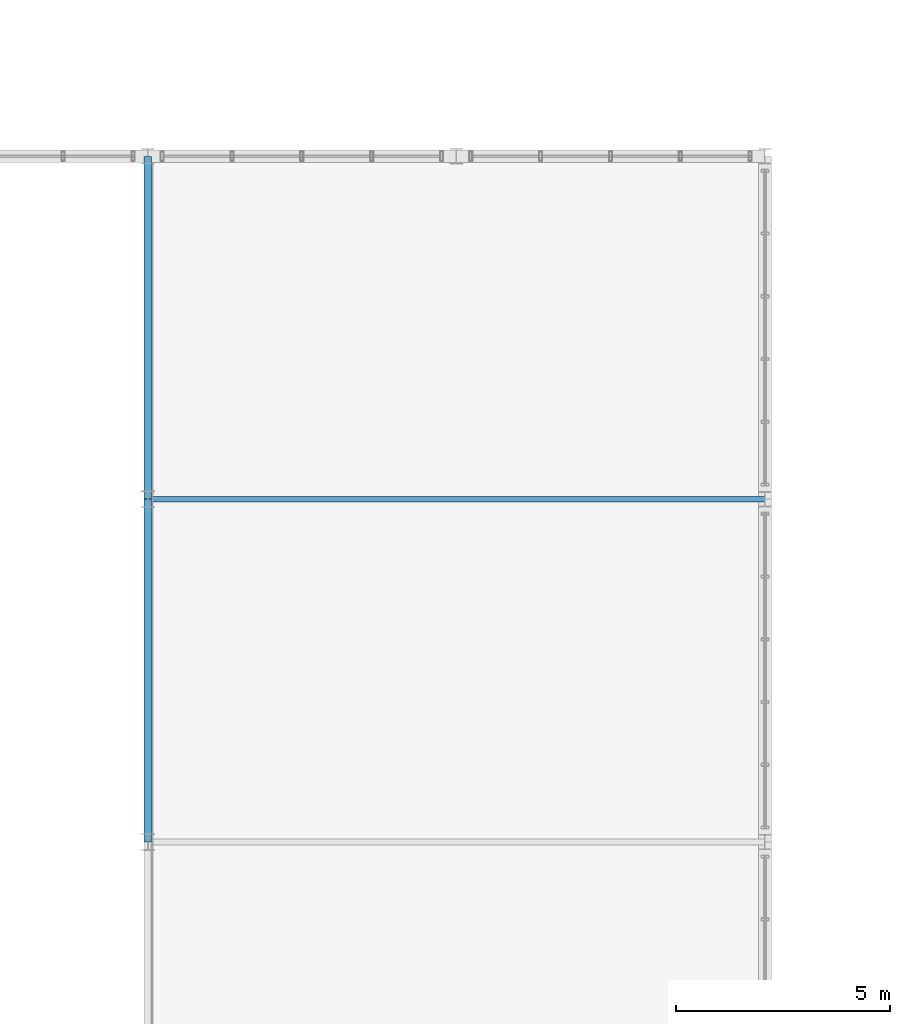
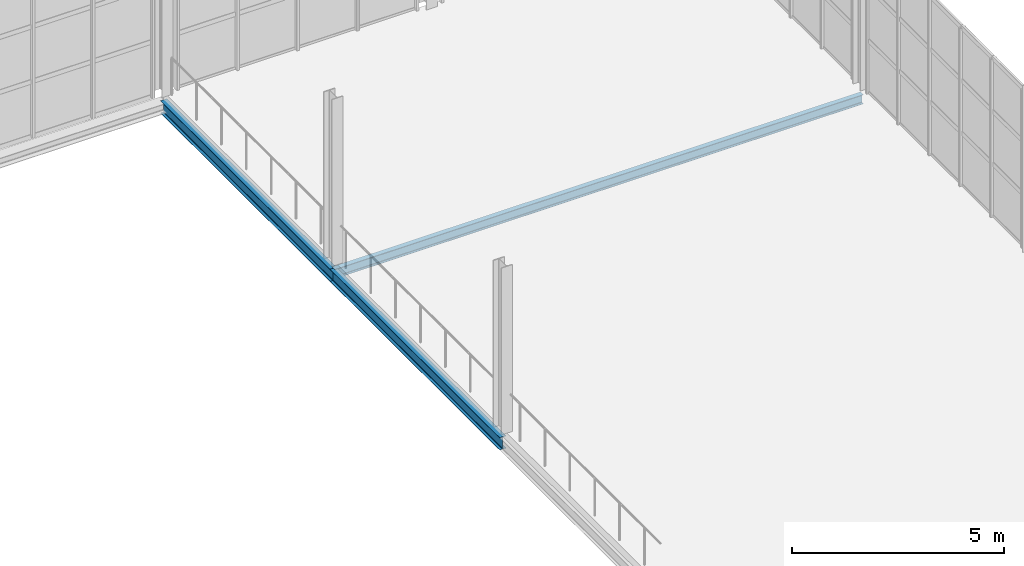
# One storey, part 65 of 143: 3 beams.
"""IFC4 building model written with IfcOpenShell, lengths in metres."""

from ifc_helpers import new_model, si_unit, derived_unit, direction, frame, origin, origin_2d, place, context, subcontext, project, spatial, i_section, extrude, material, material_profile, profile_set, type_object, element, save


model = new_model("IFC4")

# Units and contexts
model_context = context("Model", 3, precision=1e-05, world=origin(), true_north=direction((0.0, 1.0)))
body_context = subcontext(model_context, "Body", "Model", "MODEL_VIEW")
ifc_project = project(units=[si_unit("LENGTHUNIT", "METRE"), si_unit("AREAUNIT", "SQUARE_METRE"), si_unit("VOLUMEUNIT", "CUBIC_METRE"), si_unit("PLANEANGLEUNIT", "RADIAN"), si_unit("MASSUNIT", "GRAM", prefix="KILO"), derived_unit("THERMALTRANSMITTANCEUNIT", [(si_unit("POWERUNIT", "WATT"), 1), (si_unit("LENGTHUNIT", "METRE"), -2), (si_unit("THERMODYNAMICTEMPERATUREUNIT", "KELVIN"), -1)])], contexts=[model_context])

# Site, building, storey
site_placement = place(None, origin())
site = spatial("IfcSite", under=ifc_project, at=site_placement, CompositionType="ELEMENT")
building_placement = place(site_placement, origin())
building = spatial("IfcBuilding", under=site, at=building_placement, Name="Keldorne Ridge Multi-Sports Centre", CompositionType="ELEMENT")
storey_placement = place(building_placement, frame((0.0, 0.0, 4.800048828125)))
storey = spatial("IfcBuildingStorey", under=building, at=storey_placement, Name="L01", CompositionType="ELEMENT", Elevation=4.800048828125)

# Beams
ifc_material = material(Name="Steel S355", Category="steel")
ifc_material_profile_1 = material_profile(ifc_material, i_section(OverallWidth=0.169921875, OverallDepth=0.360107421875, WebThickness=0.008056640625, FlangeThickness=0.0126953125, FilletRadius=0.01806640625, at=origin_2d()), Name="IPE 360")
ifc_profile_set_1 = profile_set([ifc_material_profile_1], Name="Steel S355")
beam_type_1 = type_object("IfcBeamType", Name="BM-B-05", PredefinedType="BEAM", material=ifc_profile_set_1)
for number, where, z_axis, x_axis, name in (
    (1, (27.60009765625, 98.0, -0.400146484375), (0.0, 1.0, 0.0), (-1.0, 0.0, 0.0), "L01 climbing gallery girder 98"),
    (2, (27.60009765625, 106.0, -0.400146484375), (0.0, 1.0, 0.0), (-1.0, 0.0, 0.0), "L01 climbing gallery girder 106"),
):
    element("IfcBeam", number, at=place(storey_placement, frame(where, z_axis=z_axis, x_axis=x_axis)), inside=storey, type_object=beam_type_1, Name=name, PredefinedType="BEAM", context=body_context, shape_type="SweptSolid", body=[
        extrude(i_section(OverallWidth=0.169921875, OverallDepth=0.360107421875, WebThickness=0.008056640625, FlangeThickness=0.0126953125, FilletRadius=0.01806640625, at=origin_2d()), origin(), (0.0, 0.0, 1.0), 8.0),
    ])
ifc_material_profile_2 = material_profile(ifc_material, i_section(OverallWidth=0.135009765625, OverallDepth=0.27001953125, WebThickness=0.006591796875, FlangeThickness=0.01025390625, FilletRadius=0.014892578125, at=origin_2d()), Name="IPE 270")
ifc_profile_set_2 = profile_set([ifc_material_profile_2], Name="Steel S355")
beam_type_2 = type_object("IfcBeamType", Name="BM-J-03", PredefinedType="JOIST", material=ifc_profile_set_2)
beam_placement = place(storey_placement, frame((27.60009765625, 106.0, -0.35498046875), z_axis=(1.0, 0.0, 0.0), x_axis=(0.0, 1.0, 0.0)))
element("IfcBeam", 3, at=beam_placement, inside=storey, type_object=beam_type_2, Name="L01 climbing gallery tie 106", PredefinedType="JOIST", context=body_context, shape_type="SweptSolid", body=[
    extrude(i_section(OverallWidth=0.135009765625, OverallDepth=0.27001953125, WebThickness=0.006591796875, FlangeThickness=0.01025390625, FilletRadius=0.014892578125, at=origin_2d()), origin(), (0.0, 0.0, 1.0), 14.39990234375),
])

save(model, "model.ifc")
